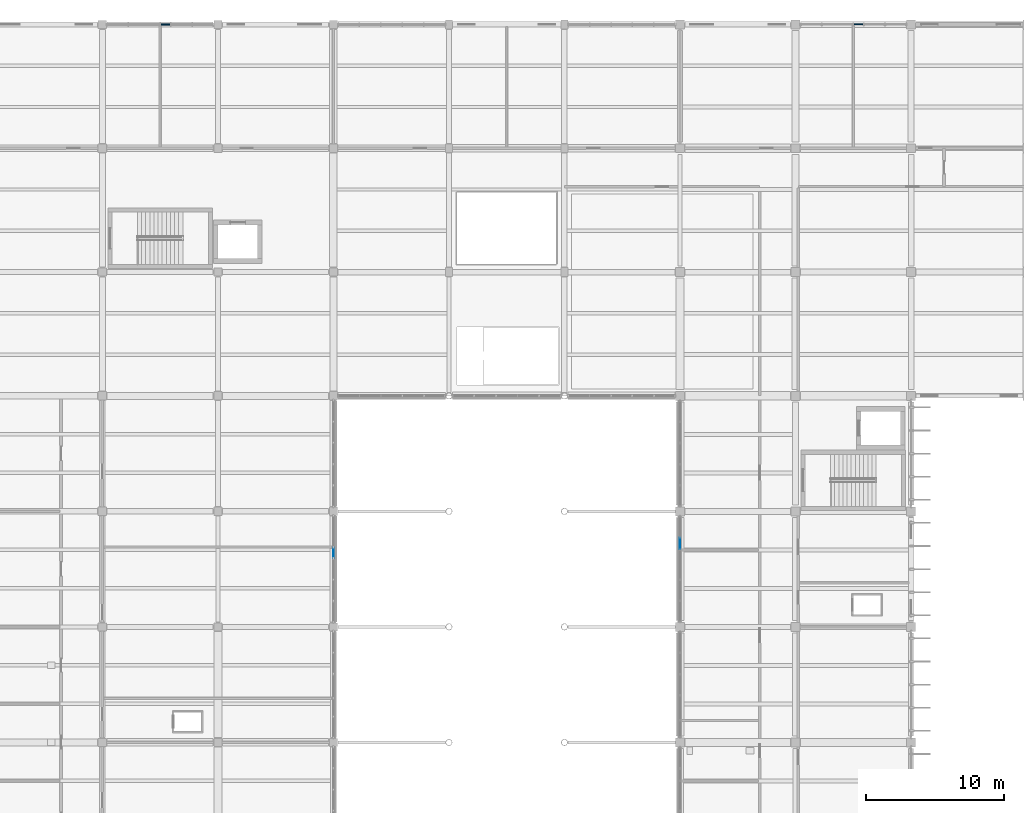
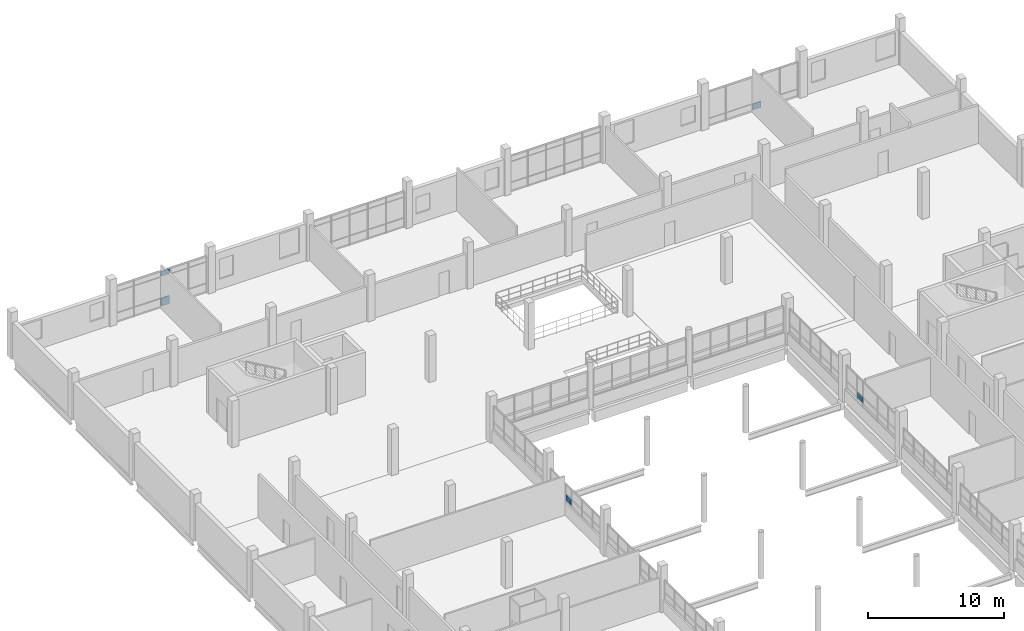
# One storey, part 81 of 101: 5 plates, 4 elements without a shape of their own.
"""IFC4 building model written with IfcOpenShell, lengths in metres."""

from ifc_helpers import new_model, si_unit, direction, frame, origin, origin_2d, place, context, subcontext, project, spatial, rectangle, extrude, material, layer, layer_set, type_object, element, aggregate, save


model = new_model("IFC4")

# Units and contexts
model_context = context("Model", 3, precision=1e-05, world=origin(), true_north=direction((0.0, 1.0)))
body_context = subcontext(model_context, "Body", "Model", "MODEL_VIEW")
ifc_project = project(units=[si_unit("LENGTHUNIT", "METRE"), si_unit("AREAUNIT", "SQUARE_METRE"), si_unit("VOLUMEUNIT", "CUBIC_METRE"), si_unit("PLANEANGLEUNIT", "RADIAN"), si_unit("MASSUNIT", "GRAM", prefix="KILO")], contexts=[model_context])

# Site, building, storey
site_placement = place(None, origin())
site = spatial("IfcSite", under=ifc_project, at=site_placement, CompositionType="ELEMENT")
building_placement = place(site_placement, origin())
building = spatial("IfcBuilding", under=site, at=building_placement, Name="Vireocrest Preparatory School", CompositionType="ELEMENT")
storey_placement = place(building_placement, frame((0.0, 0.0, 4.800048828125)))
storey = spatial("IfcBuildingStorey", under=building, at=storey_placement, Name="L01", CompositionType="ELEMENT", Elevation=4.800048828125)

# Curtain wall, plate
ifc_material_1 = material(Name="Thermally broken aluminium EN AW-6063-T6", Category="aluminium")
ifc_layer_1 = layer(ifc_material_1, 0.179931640625)
ifc_layer_set_1 = layer_set([ifc_layer_1], Name="Thermally broken aluminium EN AW-6063-T6")
curtain_wall_type_1 = type_object("IfcCurtainWallType", Name="North Street Curtain Wall 8400x4000", PredefinedType="USERDEFINED", material=ifc_layer_set_1)
curtain_wall_1_placement = place(storey_placement, origin())
curtain_wall_1 = element("IfcCurtainWall", 1, at=curtain_wall_1_placement, inside=storey, type_object=curtain_wall_type_1, Name="Curtain Wall CW05 CW_L01_CW05_0507_1128_048", ObjectType="CURTAIN WALL", PredefinedType="USERDEFINED")
ifc_material_2 = material(Name="Insulated triple low-e tempered safety glass", Category="glass")
ifc_layer_2 = layer(ifc_material_2, 0.074951171875)
ifc_layer_set_2 = layer_set([ifc_layer_2], Name="Insulated triple low-e tempered safety glass")
plate_type_1 = type_object("IfcPlateType", Name="Acoustic Triple-Glazed Lab Curtain Panel 75", PredefinedType="CURTAIN_PANEL", material=ifc_layer_set_2)
plate_1_placement = place(storey_placement, frame((54.986572265625, 112.800048828125, 2.802734375), z_axis=(0.0, 0.0, 1.0), x_axis=(1.0, 0.0, 0.0)))
plate_1 = element("IfcPlate", 2, at=plate_1_placement, type_object=plate_type_1, Name="CW Panel GL2 CW_L01_CW05_0507_1128_048-3-3", PredefinedType="CURTAIN_PANEL", context=body_context, shape_type="SweptSolid", body=[
    extrude(rectangle(XDim=0.7080078125, YDim=0.074951171875, at=origin_2d()), origin(), (0.0, 0.0, 1.0), 0.409912109375),
])

curtain_wall_2_placement = place(storey_placement, origin())
curtain_wall_2 = element("IfcCurtainWall", 3, at=curtain_wall_2_placement, inside=storey, type_object=curtain_wall_type_1, Name="Curtain Wall CW05 CW_L01_CW05_1011_1128_048", ObjectType="CURTAIN WALL", PredefinedType="USERDEFINED")
plate_2_placement = place(storey_placement, frame((105.384033203125, 112.800048828125, 0.12744140625), z_axis=(0.0, 0.0, 1.0), x_axis=(1.0, 0.0, 0.0)))
plate_2 = element("IfcPlate", 4, at=plate_2_placement, type_object=plate_type_1, Name="CW Panel GL2 CW_L01_CW05_1011_1128_048-3-1", PredefinedType="CURTAIN_PANEL", context=body_context, shape_type="SweptSolid", body=[
    extrude(rectangle(XDim=0.702880859375, YDim=0.074951171875, at=origin_2d()), origin(), (0.0, 0.0, 1.0), 0.5400390625),
])
aggregate(curtain_wall_2, [plate_2])

# Plate
ifc_material_3 = material(Name="Painted white aluminium cladding EN AW-6063-T6", Category="aluminium")
ifc_layer_3 = layer(ifc_material_3, 0.114990234375)
ifc_layer_set_3 = layer_set([ifc_layer_3], Name="Painted white aluminium cladding EN AW-6063-T6")
plate_type_2 = type_object("IfcPlateType", Name="Insulated White Spandrel Curtain Panel 115", PredefinedType="CURTAIN_PANEL", material=ifc_layer_set_3)
plate_3_placement = place(storey_placement, frame((54.986572265625, 112.800048828125, 0.12744140625), z_axis=(0.0, 0.0, 1.0), x_axis=(1.0, 0.0, 0.0)))
plate_3 = element("IfcPlate", 5, at=plate_3_placement, type_object=plate_type_2, Name="CW Panel SP2 CW_L01_CW05_0507_1128_048-3-1", PredefinedType="CURTAIN_PANEL", context=body_context, shape_type="SweptSolid", body=[
    extrude(rectangle(XDim=0.7080078125, YDim=0.114990234375, at=origin_2d()), origin(), (0.0, 0.0, 1.0), 0.68994140625),
])

aggregate(curtain_wall_1, [plate_3, plate_1])

# Curtain wall, plate
ifc_layer_4 = layer(ifc_material_1, 0.179931640625)
ifc_layer_set_4 = layer_set([ifc_layer_4], Name="Thermally broken aluminium EN AW-6063-T6")
curtain_wall_type_2 = type_object("IfcCurtainWallType", Name="Court Banded Curtain Wall 8400x3000", PredefinedType="USERDEFINED", material=ifc_layer_set_4)
curtain_wall_3_placement = place(storey_placement, origin())
curtain_wall_3 = element("IfcCurtainWall", 6, at=curtain_wall_3_placement, inside=storey, type_object=curtain_wall_type_2, Name="Curtain Wall CW02 CW_L01_CW02_0672_0693_060", ObjectType="CURTAIN WALL", PredefinedType="USERDEFINED")
ifc_layer_5 = layer(ifc_material_2, 0.06005859375)
ifc_layer_set_5 = layer_set([ifc_layer_5], Name="Insulated triple low-e tempered safety glass")
plate_type_3 = type_object("IfcPlateType", Name="Triple-Glazed Vision Curtain Panel 60", PredefinedType="CURTAIN_PANEL", material=ifc_layer_set_5)
plate_4_placement = place(storey_placement, frame((67.199951171875, 74.386474609375, 1.27734375), z_axis=(0.0, 0.0, 1.0), x_axis=(0.0, 1.0, 0.0)))
plate_4 = element("IfcPlate", 7, at=plate_4_placement, type_object=plate_type_3, Name="CW Panel GL1 CW_L01_CW02_0672_0693_060-4-1", PredefinedType="CURTAIN_PANEL", context=body_context, shape_type="SweptSolid", body=[
    extrude(rectangle(XDim=0.761962890625, YDim=0.06005859375, at=origin_2d()), origin(), (0.0, 0.0, 1.0), 0.5400390625),
])
aggregate(curtain_wall_3, [plate_4])

curtain_wall_4_placement = place(storey_placement, origin())
curtain_wall_4 = element("IfcCurtainWall", 8, at=curtain_wall_4_placement, inside=storey, type_object=curtain_wall_type_2, Name="Curtain Wall CW02 CW_L01_CW02_0924_0693_060", ObjectType="CURTAIN WALL", PredefinedType="USERDEFINED")
plate_5_placement = place(storey_placement, frame((92.39990234375, 75.052001953125, 1.27734375), z_axis=(0.0, 0.0, 1.0), x_axis=(0.0, 1.0, 0.0)))
plate_5 = element("IfcPlate", 9, at=plate_5_placement, type_object=plate_type_3, Name="CW Panel GL1 CW_L01_CW02_0924_0693_060-4-1", PredefinedType="CURTAIN_PANEL", context=body_context, shape_type="SweptSolid", body=[
    extrude(rectangle(XDim=0.839111328125, YDim=0.06005859375, at=origin_2d()), origin(), (0.0, 0.0, 1.0), 0.5400390625),
])
aggregate(curtain_wall_4, [plate_5])

save(model, "model.ifc")
